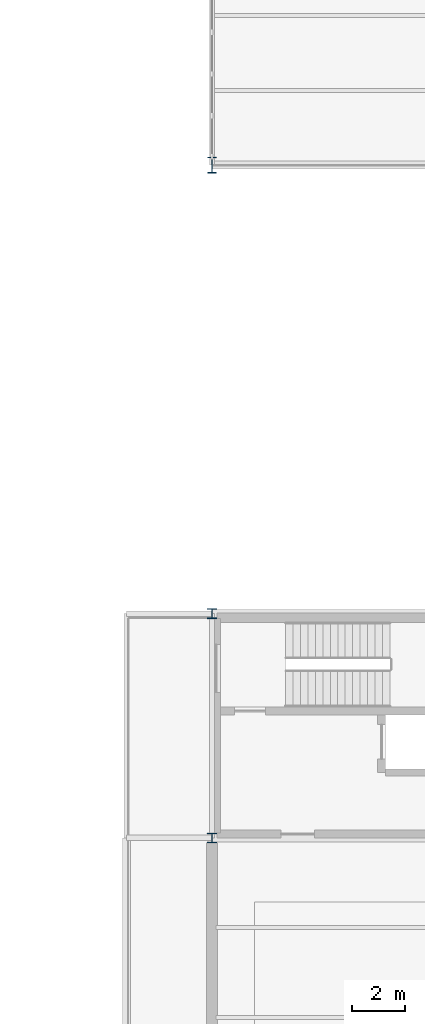
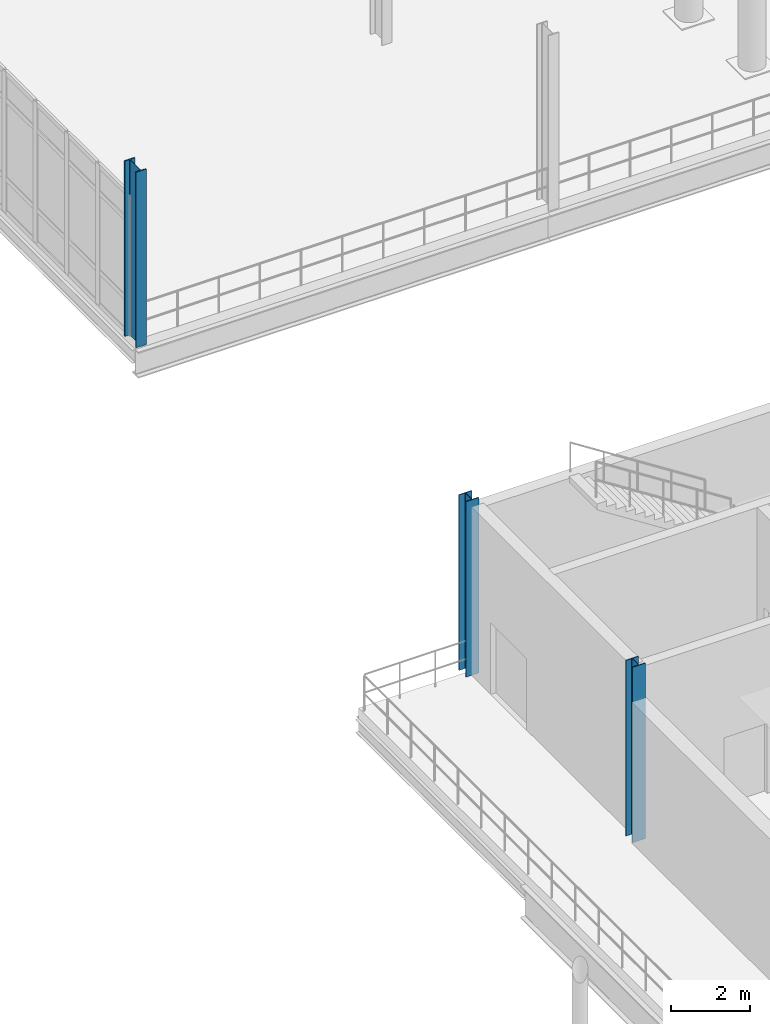
# One storey, part 7 of 111: 3 columns.
"""IFC4 building model written with IfcOpenShell, lengths in metres."""

from ifc_helpers import new_model, si_unit, direction, frame, origin, origin_2d, place, context, subcontext, project, spatial, i_section, extrude, material, material_profile, profile_set, type_object, element, save


model = new_model("IFC4")

# Units and contexts
model_context = context("Model", 3, precision=1e-05, world=origin(), true_north=direction((0.0, 1.0)))
body_context = subcontext(model_context, "Body", "Model", "MODEL_VIEW")
ifc_project = project(units=[si_unit("LENGTHUNIT", "METRE"), si_unit("AREAUNIT", "SQUARE_METRE"), si_unit("VOLUMEUNIT", "CUBIC_METRE"), si_unit("PLANEANGLEUNIT", "RADIAN"), si_unit("MASSUNIT", "GRAM", prefix="KILO"), si_unit("THERMODYNAMICTEMPERATUREUNIT", "KELVIN"), si_unit("POWERUNIT", "WATT")], contexts=[model_context])

# Site, building, storey
site_placement = place(None, origin())
site = spatial("IfcSite", under=ifc_project, at=site_placement, CompositionType="ELEMENT")
building_placement = place(site_placement, origin())
building = spatial("IfcBuilding", under=site, at=building_placement, Name="Tembeka Court Mobility Hub", CompositionType="ELEMENT")
storey_placement = place(building_placement, origin())
storey = spatial("IfcBuildingStorey", under=building, at=storey_placement, Name="L00", CompositionType="ELEMENT", Elevation=0.0)

# Columns
ifc_material = material(Name="Steel S355", Category="steel")
ifc_material_profile_1 = material_profile(ifc_material, i_section(OverallWidth=0.373046875, OverallDepth=0.367919921875, WebThickness=0.014404296875, FlangeThickness=0.023681640625, FilletRadius=0.01513671875, at=origin_2d()), Name="UKC 356x368x177")
ifc_profile_set_1 = profile_set([ifc_material_profile_1], Name="Steel S355")
column_type_1 = type_object("IfcColumnType", Name="COL-C03", PredefinedType="COLUMN", material=ifc_profile_set_1)
for number, where, z_axis, x_axis, name in (
    (1, (116.39990234375, 38.39990234375, 0.0), (0.0, 0.0, 1.0), (1.0, 0.0, 0.0), "Column C03 (L00-159)"),
    (2, (116.39990234375, 46.800048828125, 0.0), (0.0, 0.0, 1.0), (1.0, 0.0, 0.0), "Column C03 (L00-160)"),
):
    element("IfcColumn", number, at=place(storey_placement, frame(where, z_axis=z_axis, x_axis=x_axis)), inside=storey, type_object=column_type_1, Name=name, PredefinedType="COLUMN", context=body_context, shape_type="SweptSolid", body=[
        extrude(i_section(OverallWidth=0.373046875, OverallDepth=0.367919921875, WebThickness=0.014404296875, FlangeThickness=0.023681640625, FilletRadius=0.01513671875, at=origin_2d()), origin(), (0.0, 0.0, 1.0), 5.39990234375),
    ])
ifc_material_profile_2 = material_profile(ifc_material, i_section(OverallWidth=0.300048828125, OverallDepth=0.60009765625, WebThickness=0.015380859375, FlangeThickness=0.030029296875, FilletRadius=0.027099609375, at=origin_2d()), Name="HEB 600")
ifc_profile_set_2 = profile_set([ifc_material_profile_2], Name="Steel S355")
column_type_2 = type_object("IfcColumnType", Name="COL-C06", PredefinedType="COLUMN", material=ifc_profile_set_2)
column_placement = place(storey_placement, frame((116.39990234375, 63.60009765625, 0.0), z_axis=(0.0, 0.0, 1.0), x_axis=(1.0, 0.0, 0.0)))
element("IfcColumn", 3, at=column_placement, inside=storey, type_object=column_type_2, Name="Column C06 (L00-162)", PredefinedType="COLUMN", context=body_context, shape_type="SweptSolid", body=[
    extrude(i_section(OverallWidth=0.300048828125, OverallDepth=0.60009765625, WebThickness=0.015380859375, FlangeThickness=0.030029296875, FilletRadius=0.027099609375, at=origin_2d()), origin(), (0.0, 0.0, 1.0), 5.39990234375),
])

save(model, "model.ifc")
